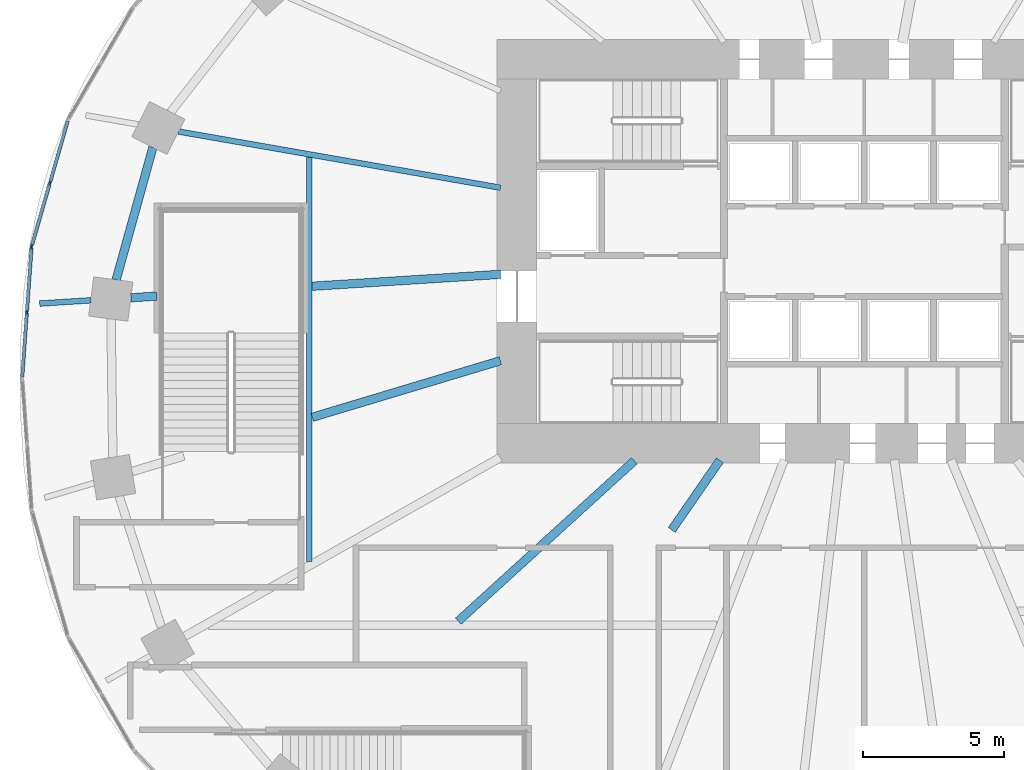
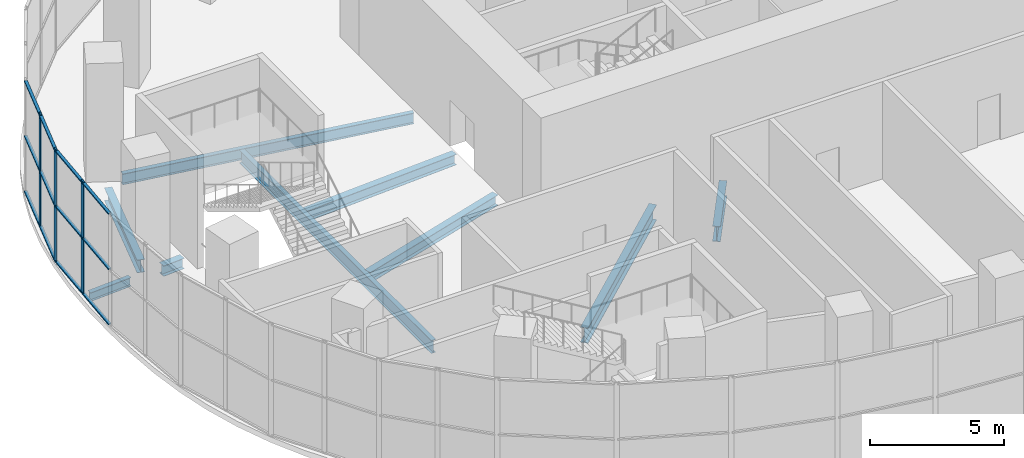
# One storey, part 4 of 20: 15 members, 9 beams, 2 elements without a shape of their own.
"""IFC4 building model written with IfcOpenShell, lengths in metres."""

import ifcopenshell
import ifcopenshell.guid

model = None  # the IFC model being written
_history = None  # IfcOwnerHistory: only IFC2X3 demands one
_inside = {}  # id of a spatial element -> (the spatial element, [elements in it])
_under = {}  # id of a project, library or spatial element -> (it, [spatial elements below it])
_declared = {}  # id of a project -> (the project, [libraries it declares])
_typed = {}  # id of a type object -> (the type object, [elements of that type])
_made_of = {}  # id of a material, layer set ... -> (it, [elements and type objects made of it])


def new_model(schema):
    """Start an empty IFC model of exactly this schema.

    Asked for "IFC4X3", IfcOpenShell would pick the latest addendum, in which some entities
    have other attributes; the version numbers below select the first issue.
    IFC2X3 requires an IfcOwnerHistory on every rooted entity: one is made here for all.
    """
    global model, _history
    if schema == "IFC4X3":
        model = ifcopenshell.file(schema_version=(4, 3, 0, 0))
    else:
        model = ifcopenshell.file(schema=schema)
    _inside.clear()
    _under.clear()
    _declared.clear()
    _typed.clear()
    _made_of.clear()
    _history = None
    if model.schema == "IFC2X3":
        org = make("IfcOrganization", Name="unknown")
        user = make(
            "IfcPersonAndOrganization",
            ThePerson=make("IfcPerson", FamilyName="unknown"),
            TheOrganization=org,
        )
        app = make(
            "IfcApplication",
            ApplicationDeveloper=org,
            Version="unknown",
            ApplicationFullName="unknown",
            ApplicationIdentifier="unknown",
        )
        _history = make(
            "IfcOwnerHistory",
            OwningUser=user,
            OwningApplication=app,
            ChangeAction="ADDED",
            CreationDate=0,
        )
    return model


def make(cls, **values):
    """One entity of the class cls with the attributes given. An attribute that is None is left unset."""
    return model.create_entity(
        cls, **{name: value for name, value in values.items() if value is not None}
    )


def rooted(cls, **values):
    """An entity with a GlobalId (a new one), such as an element, a storey or a relation."""
    return make(cls, GlobalId=ifcopenshell.guid.new(), OwnerHistory=_history, **values)


def si_unit(unit_type, name, prefix=None):
    """IfcSIUnit, for example si_unit("LENGTHUNIT", "METRE", prefix="MILLI")."""
    return make("IfcSIUnit", UnitType=unit_type, Prefix=prefix, Name=name)


def assignment(units):
    """IfcUnitAssignment: the units of a project."""
    return None if units is None else make("IfcUnitAssignment", Units=units)


def point(xyz):
    """IfcCartesianPoint."""
    return None if xyz is None else make("IfcCartesianPoint", Coordinates=xyz)


def direction(xyz):
    """IfcDirection."""
    return None if xyz is None else make("IfcDirection", DirectionRatios=xyz)


def frame(location, z_axis=None, x_axis=None):
    """IfcAxis2Placement3D, a coordinate frame: its origin and axes. An axis left out is left unset."""
    return make(
        "IfcAxis2Placement3D",
        Location=point(location),
        Axis=direction(z_axis),
        RefDirection=direction(x_axis),
    )


def frame_2d(location, x_axis=None):
    """IfcAxis2Placement2D, a coordinate frame in the plane: its origin and x axis."""
    return make(
        "IfcAxis2Placement2D", Location=point(location), RefDirection=direction(x_axis)
    )


def origin():
    """The frame at (0, 0, 0) with its axes left unset."""
    return frame((0.0, 0.0, 0.0))


def origin_2d():
    """The frame at (0, 0) in the plane with its x axis left unset."""
    return frame_2d((0.0, 0.0))


def place(relative_to, where):
    """IfcLocalPlacement: puts the frame where relative to a parent placement (None: the world)."""
    return make(
        "IfcLocalPlacement", PlacementRelTo=relative_to, RelativePlacement=where
    )


def context(
    kind, dimensions, precision=None, world=None, true_north=None, identifier=None
):
    """IfcGeometricRepresentationContext, for example the 3D "Model" context."""
    return make(
        "IfcGeometricRepresentationContext",
        ContextIdentifier=identifier,
        ContextType=kind,
        CoordinateSpaceDimension=dimensions,
        Precision=precision,
        WorldCoordinateSystem=world,
        TrueNorth=true_north,
    )


def subcontext(parent, identifier, kind, view, scale=None):
    """IfcGeometricRepresentationSubContext, for example "Body" below "Model"."""
    return make(
        "IfcGeometricRepresentationSubContext",
        ContextIdentifier=identifier,
        ContextType=kind,
        ParentContext=parent,
        TargetScale=scale,
        TargetView=view,
    )


def project(units=None, contexts=None):
    """IfcProject with its units and contexts."""
    return rooted(
        "IfcProject",
        Name="project",
        RepresentationContexts=contexts,
        UnitsInContext=assignment(units),
    )


def spatial(cls, under=None, at=None, **own):
    """A site, building, storey or space (cls), placed at a placement, below another one or the project."""
    s = rooted(cls, ObjectPlacement=at, **own)
    if under is not None:
        _under.setdefault(under.id(), (under, []))[1].append(s)
    return s


def profile(cls, at=None, kind="AREA", **sizes):
    """A parametric profile (cls). Its sizes go by their IFC names, for example OverallWidth=200.0."""
    return make(cls, ProfileType=kind, Position=at, **sizes)


def rectangle(**sizes):
    """IfcRectangleProfileDef."""
    return profile("IfcRectangleProfileDef", **sizes)


def i_section(**sizes):
    """IfcIShapeProfileDef."""
    return profile("IfcIShapeProfileDef", **sizes)


def extrude(swept, where, along, depth):
    """IfcExtrudedAreaSolid: the profile swept, set in the frame where, extruded along a direction by depth."""
    return make(
        "IfcExtrudedAreaSolid",
        SweptArea=swept,
        Position=where,
        ExtrudedDirection=direction(along),
        Depth=depth,
    )


def shape(context_of_items, identifier, shape_type, items):
    """IfcShapeRepresentation: the items that make up one representation, for example the "Body"."""
    return make(
        "IfcShapeRepresentation",
        ContextOfItems=context_of_items,
        RepresentationIdentifier=identifier,
        RepresentationType=shape_type,
        Items=items,
    )


def material(Name=None, Category=None):
    """IfcMaterial."""
    return make("IfcMaterial", Name=Name, Category=Category)


def material_profile(
    of_material, cross_section, Name=None, Category=None, Priority=None
):
    """IfcMaterialProfile: a cross section and its material."""
    return make(
        "IfcMaterialProfile",
        Name=Name,
        Material=of_material,
        Profile=cross_section,
        Priority=Priority,
        Category=Category,
    )


def profile_set(profiles, Name=None, composite=None):
    """IfcMaterialProfileSet."""
    return make(
        "IfcMaterialProfileSet",
        Name=Name,
        MaterialProfiles=profiles,
        CompositeProfile=composite,
    )


def made_of(thing, what):
    """Note that an element or type object is made of a material, layer set ...; save() writes the relation."""
    if what is not None:
        _made_of.setdefault(what.id(), (what, []))[1].append(thing)
    return thing


def type_object(cls, material=None, **own):
    """A type object (cls), such as IfcWallType, which elements share."""
    return made_of(rooted(cls, **own), material)


def element(
    cls,
    number,
    at=None,
    inside=None,
    cuts=None,
    type_object=None,
    material=None,
    context=None,
    identifier="Body",
    shape_type=None,
    held_by="IfcProductDefinitionShape",
    body=None,
    shapes=None,
    **own,
):
    """One element of the class cls, such as IfcWall. Its Tag is "e" and its number.

    at: its placement. inside: the storey or other place that contains it. cuts: it is an
    opening in that element (IfcRelVoidsElement). A single representation is given by context,
    identifier, shape_type and body (its items); several are given by shapes. held_by: the class
    of the entity that holds the representations. save() writes the other relations.
    """
    e = rooted(cls, Tag="e%d" % number, ObjectPlacement=at, **own)
    if body is not None:
        shapes = [shape(context, identifier, shape_type, body)]
    if shapes is not None:
        e.Representation = make(held_by, Representations=shapes)
    if inside is not None:
        _inside.setdefault(inside.id(), (inside, []))[1].append(e)
    if cuts is not None:
        rooted(
            "IfcRelVoidsElement", RelatingBuildingElement=cuts, RelatedOpeningElement=e
        )
    if type_object is not None:
        _typed.setdefault(type_object.id(), (type_object, []))[1].append(e)
    return made_of(e, material)


def aggregate(whole, parts):
    """IfcRelAggregates: a whole, such as a stair, and the parts it consists of."""
    return rooted("IfcRelAggregates", RelatingObject=whole, RelatedObjects=parts)


def save(model, path):
    """Write the relations noted so far, then the file.

    IfcRelAggregates (storeys below a building ...), IfcRelContainedInSpatialStructure (elements
    in a storey), IfcRelDefinesByType, IfcRelAssociatesMaterial and IfcRelDeclares: one each for
    every whole, place, type object, material and project.
    """
    for whole, parts in _under.values():
        aggregate(whole, parts)
    for where, things in _inside.values():
        rooted(
            "IfcRelContainedInSpatialStructure",
            RelatedElements=things,
            RelatingStructure=where,
        )
    for kind, things in _typed.values():
        rooted("IfcRelDefinesByType", RelatedObjects=things, RelatingType=kind)
    for what, things in _made_of.values():
        rooted("IfcRelAssociatesMaterial", RelatedObjects=things, RelatingMaterial=what)
    for by, libraries in _declared.values():
        rooted("IfcRelDeclares", RelatingContext=by, RelatedDefinitions=libraries)
    model.write(path)


model = new_model("IFC4")

# Units and contexts
model_context = context("Model", 3, precision=1e-05, world=origin(), true_north=direction((0.0, 1.0)))
body_context = subcontext(model_context, "Body", "Model", "MODEL_VIEW")
ifc_project = project(units=[si_unit("LENGTHUNIT", "METRE"), si_unit("AREAUNIT", "SQUARE_METRE"), si_unit("VOLUMEUNIT", "CUBIC_METRE"), si_unit("PLANEANGLEUNIT", "RADIAN"), si_unit("MASSUNIT", "GRAM", prefix="KILO")], contexts=[model_context])

# Site, building, storey
site_placement = place(None, origin())
site = spatial("IfcSite", under=ifc_project, at=site_placement, CompositionType="ELEMENT")
building_placement = place(site_placement, origin())
building = spatial("IfcBuilding", under=site, at=building_placement, Name="Rubra Terraces Tower", CompositionType="ELEMENT")
storey_placement = place(building_placement, frame((0.0, 0.0, 22.800048828125)))
storey = spatial("IfcBuildingStorey", under=building, at=storey_placement, Name="L03", CompositionType="ELEMENT", Elevation=22.800048828125)

# Beams
ifc_material_1 = material(Name="Steel Q355B", Category="steel")
ifc_material_profile_1 = material_profile(ifc_material_1, i_section(OverallWidth=0.199951171875, OverallDepth=0.39990234375, WebThickness=0.008056640625, FlangeThickness=0.012939453125, at=origin_2d()), Name="HN 400x200x8x13")
ifc_profile_set_1 = profile_set([ifc_material_profile_1], Name="Steel Q355B")
beam_type_1 = type_object("IfcBeamType", Name="CANTILEVER BEAM HN 400x200x8x13", PredefinedType="BEAM", material=ifc_profile_set_1)
beam_1_placement = place(storey_placement, frame((-27.39599609375, 2.762939453125, -0.449951171875), z_axis=(-0.997981102524, -0.063511565909, 0.0), x_axis=(0.063511565909, -0.997981102524, 0.0)))
element("IfcBeam", 1, at=beam_1_placement, inside=storey, type_object=beam_type_1, Name="beam-L03-cant-12", PredefinedType="BEAM", context=body_context, shape_type="SweptSolid", body=[
    extrude(i_section(OverallWidth=0.199951171875, OverallDepth=0.39990234375, WebThickness=0.008056640625, FlangeThickness=0.012939453125, at=origin_2d()), origin(), (0.0, 0.0, 1.0), 1.810546875),
])
ifc_material_profile_2 = material_profile(ifc_material_1, i_section(OverallWidth=0.300048828125, OverallDepth=0.48193359375, WebThickness=0.010986328125, FlangeThickness=0.014892578125, at=origin_2d()), Name="HM 482x300x11x15")
ifc_profile_set_2 = profile_set([ifc_material_profile_2], Name="Steel Q355B")
beam_type_2 = type_object("IfcBeamType", Name="FLOOR BEAM HM 482x300x11x15", PredefinedType="BEAM", material=ifc_profile_set_2)
beam_2_placement = place(storey_placement, frame((-25.971923828125, 2.85302734375, -0.490966796875), z_axis=(0.997952606067, 0.063957767656, 0.0), x_axis=(-0.063957767656, 0.997952606067, 0.0)))
element("IfcBeam", 2, at=beam_2_placement, inside=storey, type_object=beam_type_2, Name="beam-L03-floor-12-a", PredefinedType="BEAM", context=body_context, shape_type="SweptSolid", body=[
    extrude(i_section(OverallWidth=0.300048828125, OverallDepth=0.48193359375, WebThickness=0.010986328125, FlangeThickness=0.014892578125, at=origin_2d()), origin(), (0.0, 0.0, 1.0), 0.923828125),
])
beam_3_placement = place(storey_placement, frame((-19.550048828125, 3.260986328125, -0.490966796875), z_axis=(0.998003521205, 0.063158306364, 0.0), x_axis=(-0.063158306364, 0.998003521205, 0.0)))
element("IfcBeam", 3, at=beam_3_placement, inside=storey, type_object=beam_type_2, Name="beam-L03-floor-12-b", PredefinedType="BEAM", context=body_context, shape_type="SweptSolid", body=[
    extrude(i_section(OverallWidth=0.300048828125, OverallDepth=0.48193359375, WebThickness=0.010986328125, FlangeThickness=0.014892578125, at=origin_2d()), origin(), (0.0, 0.0, 1.0), 6.68359375),
])
beam_4_placement = place(storey_placement, frame((-19.550048828125, -1.381103515625, -0.490966796875), z_axis=(0.95760395175, 0.288087958085, 0.0), x_axis=(-0.288087958085, 0.95760395175, 0.0)))
element("IfcBeam", 4, at=beam_4_placement, inside=storey, type_object=beam_type_2, Name="beam-L03-floor-13-b", PredefinedType="BEAM", context=body_context, shape_type="SweptSolid", body=[
    extrude(i_section(OverallWidth=0.300048828125, OverallDepth=0.48193359375, WebThickness=0.010986328125, FlangeThickness=0.014892578125, at=origin_2d()), origin(), (0.0, 0.0, 1.0), 6.960205078125),
])
ifc_material_profile_3 = material_profile(ifc_material_1, i_section(OverallWidth=0.198974609375, OverallDepth=0.49609375, WebThickness=0.009033203125, FlangeThickness=0.013916015625, at=origin_2d()), Name="HN 496x199x9x14")
ifc_profile_set_3 = profile_set([ifc_material_profile_3], Name="Steel Q355B")
beam_type_3 = type_object("IfcBeamType", Name="FLOOR BEAM HN 496x199x9x14", PredefinedType="BEAM", material=ifc_profile_set_3)
beam_5_placement = place(storey_placement, frame((-24.282958984375, 8.739990234375, -0.498046875), z_axis=(0.985091834527, -0.172029292701, 0.0), x_axis=(0.172029292701, 0.985091834527, 0.0)))
element("IfcBeam", 5, at=beam_5_placement, inside=storey, type_object=beam_type_3, Name="beam-L03-floor-11", PredefinedType="BEAM", context=body_context, shape_type="SweptSolid", body=[
    extrude(i_section(OverallWidth=0.198974609375, OverallDepth=0.49609375, WebThickness=0.009033203125, FlangeThickness=0.013916015625, at=origin_2d()), origin(), (0.0, 0.0, 1.0), 11.573486328125),
])
ifc_material_profile_4 = material_profile(ifc_material_1, i_section(OverallWidth=0.300048828125, OverallDepth=0.699951171875, WebThickness=0.012939453125, FlangeThickness=0.02392578125, at=origin_2d()), Name="HN 700x300x13x24")
ifc_profile_set_4 = profile_set([ifc_material_profile_4], Name="Steel Q355B")
beam_type_4 = type_object("IfcBeamType", Name="FLOOR BEAM HN 700x300x13x24", PredefinedType="BEAM", material=ifc_profile_set_4)
beam_6_placement = place(storey_placement, frame((-14.3798828125, -8.60009765625, -0.60009765625), z_axis=(0.739219389945, 0.673464693603, 0.0), x_axis=(-0.673464693603, 0.739219389945, 0.0)))
element("IfcBeam", 6, at=beam_6_placement, inside=storey, type_object=beam_type_4, Name="beam-L03-floor-15-a", PredefinedType="BEAM", context=body_context, shape_type="SweptSolid", body=[
    extrude(i_section(OverallWidth=0.300048828125, OverallDepth=0.699951171875, WebThickness=0.012939453125, FlangeThickness=0.02392578125, at=origin_2d()), origin(), (0.0, 0.0, 1.0), 8.435791015625),
])
beam_7_placement = place(storey_placement, frame((-6.818115234375, -5.368896484375, -0.60009765625), z_axis=(0.568409833772, 0.822745562657, 0.0), x_axis=(-0.822745562657, 0.568409833772, 0.0)))
element("IfcBeam", 7, at=beam_7_placement, inside=storey, type_object=beam_type_4, Name="beam-L03-floor-16-a", PredefinedType="BEAM", context=body_context, shape_type="SweptSolid", body=[
    extrude(i_section(OverallWidth=0.300048828125, OverallDepth=0.699951171875, WebThickness=0.012939453125, FlangeThickness=0.02392578125, at=origin_2d()), origin(), (0.0, 0.0, 1.0), 2.999755859375),
])

# Curtain wall, member
ifc_material_2 = material(Name="Aluminium and glass", Category="aluminium")
curtain_wall_type = type_object("IfcCurtainWallType", Name="Curtain wall Podium glazing", PredefinedType="NOTDEFINED", material=ifc_material_2)
curtain_wall_1_placement = place(storey_placement, origin())
curtain_wall_1 = element("IfcCurtainWall", 8, at=curtain_wall_1_placement, inside=storey, type_object=curtain_wall_type, Name="L03 glazing bay 19", PredefinedType="NOTDEFINED")
ifc_material_3 = material(Name="Aluminium, anodised dark grey", Category="aluminium")
ifc_material_profile_5 = material_profile(ifc_material_3, rectangle(XDim=0.06005859375, YDim=0.199951171875, at=origin_2d()), Name="AL 60x200")
ifc_profile_set_5 = profile_set([ifc_material_profile_5], Name="Aluminium, anodised dark grey")
member_type_1 = type_object("IfcMemberType", Name="Podium glazing mullion 60 x 200", PredefinedType="MULLION", material=ifc_profile_set_5)
member_1_placement = place(storey_placement, frame((-28.843505859375, 6.912841796875, 0.0), z_axis=(0.0, 0.0, 1.0), x_axis=(0.961047339404, -0.276383811798, 0.0)))
member_1 = element("IfcMember", 9, at=member_1_placement, type_object=member_type_1, Name="CW1 mullion 2", PredefinedType="MULLION", context=body_context, shape_type="SweptSolid", body=[
    extrude(rectangle(XDim=0.06005859375, YDim=0.199951171875, at=origin_2d()), origin(), (0.0, 0.0, 1.0), 5.14990234375),
])

# Curtain wall, members
curtain_wall_2_placement = place(storey_placement, origin())
curtain_wall_2 = element("IfcCurtainWall", 10, at=curtain_wall_2_placement, inside=storey, type_object=curtain_wall_type, Name="L03 glazing bay 20", PredefinedType="NOTDEFINED")
member_2_placement = place(storey_placement, frame((-29.490234375, 4.646728515625, 0.0), z_axis=(0.0, 0.0, 1.0), x_axis=(0.997419621076, -0.071792057306, 0.0)))
member_2 = element("IfcMember", 11, at=member_2_placement, type_object=member_type_1, Name="CW1 mullion 1", PredefinedType="MULLION", context=body_context, shape_type="SweptSolid", body=[
    extrude(rectangle(XDim=0.06005859375, YDim=0.199951171875, at=origin_2d()), origin(), (0.0, 0.0, 1.0), 5.14990234375),
])
member_3_placement = place(storey_placement, frame((-29.65673828125, 2.335693359375, 0.0), z_axis=(0.0, 0.0, 1.0), x_axis=(0.997419621076, -0.071792057306, 0.0)))
member_3 = element("IfcMember", 12, at=member_3_placement, type_object=member_type_1, Name="CW1 mullion 2", PredefinedType="MULLION", context=body_context, shape_type="SweptSolid", body=[
    extrude(rectangle(XDim=0.06005859375, YDim=0.199951171875, at=origin_2d()), origin(), (0.0, 0.0, 1.0), 5.14990234375),
])

# Member
ifc_material_profile_6 = material_profile(ifc_material_3, rectangle(XDim=0.1201171875, YDim=0.06005859375, at=origin_2d()), Name="AL 120x60")
ifc_profile_set_6 = profile_set([ifc_material_profile_6], Name="Aluminium, anodised dark grey")
member_type_2 = type_object("IfcMemberType", Name="Podium glazing transom 120 x 60", PredefinedType="USERDEFINED", material=ifc_profile_set_6)
member_4_placement = place(storey_placement, frame((-28.21240234375, 9.106689453125, 0.06005859375), z_axis=(-0.276452561882, -0.961027565177, 0.0), x_axis=(0.961027565177, -0.276452561882, 0.0)))
member_4 = element("IfcMember", 13, at=member_4_placement, type_object=member_type_2, Name="CW1 transom 1.1", ObjectType="TRANSOM", PredefinedType="USERDEFINED", context=body_context, shape_type="SweptSolid", body=[
    extrude(rectangle(XDim=0.1201171875, YDim=0.06005859375, at=origin_2d()), origin(), (0.0, 0.0, 1.0), 2.2529296875),
])

member_5_placement = place(storey_placement, frame((-28.21240234375, 9.106689453125, 2.574951171875), z_axis=(-0.276452561882, -0.961027565177, 0.0), x_axis=(0.961027565177, -0.276452561882, 0.0)))
member_5 = element("IfcMember", 14, at=member_5_placement, type_object=member_type_2, Name="CW1 transom 1.2", ObjectType="TRANSOM", PredefinedType="USERDEFINED", context=body_context, shape_type="SweptSolid", body=[
    extrude(rectangle(XDim=0.1201171875, YDim=0.06005859375, at=origin_2d()), origin(), (0.0, 0.0, 1.0), 2.2529296875),
])

member_6_placement = place(storey_placement, frame((-28.21240234375, 9.106689453125, 5.08984375), z_axis=(-0.276452561882, -0.961027565177, 0.0), x_axis=(0.961027565177, -0.276452561882, 0.0)))
member_6 = element("IfcMember", 15, at=member_6_placement, type_object=member_type_2, Name="CW1 transom 1.3", ObjectType="TRANSOM", PredefinedType="USERDEFINED", context=body_context, shape_type="SweptSolid", body=[
    extrude(rectangle(XDim=0.1201171875, YDim=0.06005859375, at=origin_2d()), origin(), (0.0, 0.0, 1.0), 2.2529296875),
])

member_7_placement = place(storey_placement, frame((-28.851806640625, 6.884033203125, 0.06005859375), z_axis=(-0.276352469421, -0.961056352481, 0.0), x_axis=(0.961056352481, -0.276352469421, 0.0)))
member_7 = element("IfcMember", 16, at=member_7_placement, type_object=member_type_2, Name="CW1 transom 2.1", ObjectType="TRANSOM", PredefinedType="USERDEFINED", context=body_context, shape_type="SweptSolid", body=[
    extrude(rectangle(XDim=0.1201171875, YDim=0.06005859375, at=origin_2d()), origin(), (0.0, 0.0, 1.0), 2.252685546875),
])

member_8_placement = place(storey_placement, frame((-28.851806640625, 6.884033203125, 2.574951171875), z_axis=(-0.276352469421, -0.961056352481, 0.0), x_axis=(0.961056352481, -0.276352469421, 0.0)))
member_8 = element("IfcMember", 17, at=member_8_placement, type_object=member_type_2, Name="CW1 transom 2.2", ObjectType="TRANSOM", PredefinedType="USERDEFINED", context=body_context, shape_type="SweptSolid", body=[
    extrude(rectangle(XDim=0.1201171875, YDim=0.06005859375, at=origin_2d()), origin(), (0.0, 0.0, 1.0), 2.252685546875),
])

member_9_placement = place(storey_placement, frame((-28.851806640625, 6.884033203125, 5.08984375), z_axis=(-0.276352469421, -0.961056352481, 0.0), x_axis=(0.961056352481, -0.276352469421, 0.0)))
member_9 = element("IfcMember", 18, at=member_9_placement, type_object=member_type_2, Name="CW1 transom 2.3", ObjectType="TRANSOM", PredefinedType="USERDEFINED", context=body_context, shape_type="SweptSolid", body=[
    extrude(rectangle(XDim=0.1201171875, YDim=0.06005859375, at=origin_2d()), origin(), (0.0, 0.0, 1.0), 2.252685546875),
])

aggregate(curtain_wall_1, [member_1, member_4, member_5, member_6, member_7, member_8, member_9])

member_10_placement = place(storey_placement, frame((-29.492431640625, 4.61669921875, 0.06005859375), z_axis=(-0.071823568166, -0.997417352494, 0.0), x_axis=(0.997417352494, -0.071823568166, 0.0)))
member_10 = element("IfcMember", 19, at=member_10_placement, type_object=member_type_2, Name="CW1 transom 1.1", ObjectType="TRANSOM", PredefinedType="USERDEFINED", context=body_context, shape_type="SweptSolid", body=[
    extrude(rectangle(XDim=0.1201171875, YDim=0.06005859375, at=origin_2d()), origin(), (0.0, 0.0, 1.0), 2.257080078125),
])

member_11_placement = place(storey_placement, frame((-29.492431640625, 4.61669921875, 2.574951171875), z_axis=(-0.071823568166, -0.997417352494, 0.0), x_axis=(0.997417352494, -0.071823568166, 0.0)))
member_11 = element("IfcMember", 20, at=member_11_placement, type_object=member_type_2, Name="CW1 transom 1.2", ObjectType="TRANSOM", PredefinedType="USERDEFINED", context=body_context, shape_type="SweptSolid", body=[
    extrude(rectangle(XDim=0.1201171875, YDim=0.06005859375, at=origin_2d()), origin(), (0.0, 0.0, 1.0), 2.257080078125),
])

member_12_placement = place(storey_placement, frame((-29.492431640625, 4.61669921875, 5.08984375), z_axis=(-0.071823568166, -0.997417352494, 0.0), x_axis=(0.997417352494, -0.071823568166, 0.0)))
member_12 = element("IfcMember", 21, at=member_12_placement, type_object=member_type_2, Name="CW1 transom 1.3", ObjectType="TRANSOM", PredefinedType="USERDEFINED", context=body_context, shape_type="SweptSolid", body=[
    extrude(rectangle(XDim=0.1201171875, YDim=0.06005859375, at=origin_2d()), origin(), (0.0, 0.0, 1.0), 2.257080078125),
])

member_13_placement = place(storey_placement, frame((-29.658935546875, 2.3056640625, 0.06005859375), z_axis=(-0.071715956886, -0.997425095698, 0.0), x_axis=(0.997425095698, -0.071715956886, 0.0)))
member_13 = element("IfcMember", 22, at=member_13_placement, type_object=member_type_2, Name="CW1 transom 2.1", ObjectType="TRANSOM", PredefinedType="USERDEFINED", context=body_context, shape_type="SweptSolid", body=[
    extrude(rectangle(XDim=0.1201171875, YDim=0.06005859375, at=origin_2d()), origin(), (0.0, 0.0, 1.0), 2.257080078125),
])

member_14_placement = place(storey_placement, frame((-29.658935546875, 2.3056640625, 2.574951171875), z_axis=(-0.071715956886, -0.997425095698, 0.0), x_axis=(0.997425095698, -0.071715956886, 0.0)))
member_14 = element("IfcMember", 23, at=member_14_placement, type_object=member_type_2, Name="CW1 transom 2.2", ObjectType="TRANSOM", PredefinedType="USERDEFINED", context=body_context, shape_type="SweptSolid", body=[
    extrude(rectangle(XDim=0.1201171875, YDim=0.06005859375, at=origin_2d()), origin(), (0.0, 0.0, 1.0), 2.257080078125),
])

member_15_placement = place(storey_placement, frame((-29.658935546875, 2.3056640625, 5.08984375), z_axis=(-0.071715956886, -0.997425095698, 0.0), x_axis=(0.997425095698, -0.071715956886, 0.0)))
member_15 = element("IfcMember", 24, at=member_15_placement, type_object=member_type_2, Name="CW1 transom 2.3", ObjectType="TRANSOM", PredefinedType="USERDEFINED", context=body_context, shape_type="SweptSolid", body=[
    extrude(rectangle(XDim=0.1201171875, YDim=0.06005859375, at=origin_2d()), origin(), (0.0, 0.0, 1.0), 2.257080078125),
])

aggregate(curtain_wall_2, [member_2, member_3, member_10, member_11, member_12, member_13, member_14, member_15])

# Beams
ifc_material_profile_7 = material_profile(ifc_material_1, i_section(OverallWidth=0.300048828125, OverallDepth=0.587890625, WebThickness=0.011962890625, FlangeThickness=0.02001953125, at=origin_2d()), Name="HM 588x300x12x20")
ifc_profile_set_7 = profile_set([ifc_material_profile_7], Name="Steel Q355B")
beam_type_5 = type_object("IfcBeamType", Name="SPANDREL BEAM HM 588x300x12x20", PredefinedType="SPANDREL", material=ifc_profile_set_7)
beam_8_placement = place(storey_placement, frame((-25.194091796875, 8.177978515625, -0.5439453125), z_axis=(-0.267364386726, -0.96359549849, 0.0), x_axis=(0.96359549849, -0.267364386726, 0.0)))
element("IfcBeam", 25, at=beam_8_placement, inside=storey, type_object=beam_type_5, Name="beam-L03-spandrel-11", PredefinedType="SPANDREL", context=body_context, shape_type="SweptSolid", body=[
    extrude(i_section(OverallWidth=0.300048828125, OverallDepth=0.587890625, WebThickness=0.011962890625, FlangeThickness=0.02001953125, at=origin_2d()), origin(), (0.0, 0.0, 1.0), 4.8662109375),
])
ifc_material_profile_8 = material_profile(ifc_material_1, i_section(OverallWidth=0.198974609375, OverallDepth=0.595947265625, WebThickness=0.010009765625, FlangeThickness=0.014892578125, at=origin_2d()), Name="HN 596x199x10x15")
ifc_profile_set_8 = profile_set([ifc_material_profile_8], Name="Steel Q355B")
beam_type_6 = type_object("IfcBeamType", Name="TRIMMER BEAM HN 596x199x10x15", PredefinedType="BEAM", material=ifc_profile_set_8)
beam_9_placement = place(storey_placement, frame((-19.64990234375, -6.485107421875, -0.548095703125), z_axis=(0.0, 1.0, 0.0), x_axis=(-1.0, 0.0, 0.0)))
element("IfcBeam", 26, at=beam_9_placement, inside=storey, type_object=beam_type_6, Name="beam-L03-header-1-xhi", PredefinedType="BEAM", context=body_context, shape_type="SweptSolid", body=[
    extrude(i_section(OverallWidth=0.198974609375, OverallDepth=0.595947265625, WebThickness=0.010009765625, FlangeThickness=0.014892578125, at=origin_2d()), origin(), (0.0, 0.0, 1.0), 14.317138671875),
])

save(model, "model.ifc")
